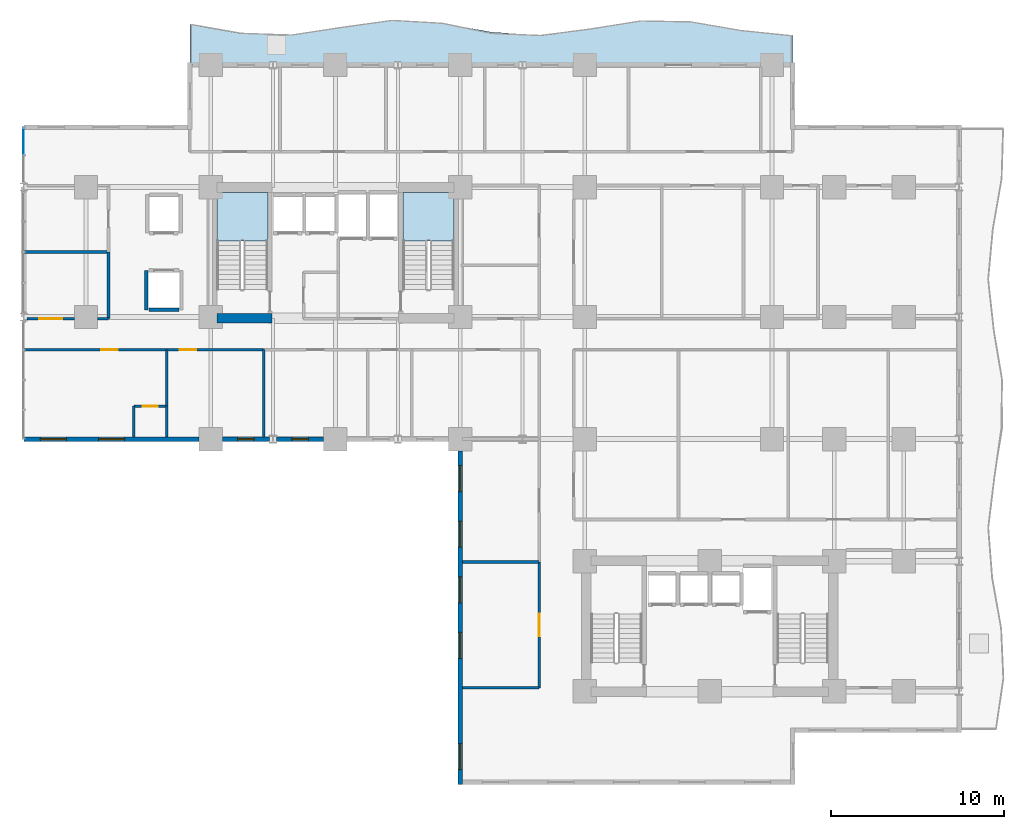
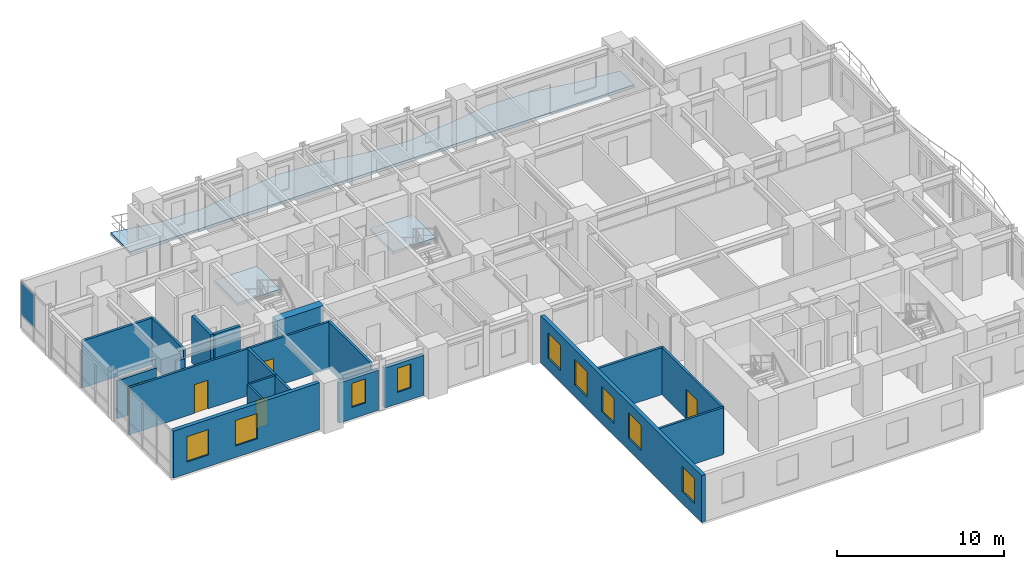
# One storey, part 8 of 17: 21 walls, 9 windows, 5 doors, 3 slabs, 1 plate, 14 openings, 3 elements without a shape of their own.
"""IFC4 building model written with IfcOpenShell, lengths in metres."""

from ifc_helpers import new_model, si_unit, direction, frame, frame_2d, origin, origin_2d, place, context, subcontext, project, spatial, polyline, rectangle, outline, extrude, source, transform, mapped, material, layer, layer_set, type_object, element, fill, aggregate, save


model = new_model("IFC4")

# Units and contexts
model_context = context("Model", 3, precision=1e-05, world=origin(), true_north=direction((0.0, 1.0)))
body_context = subcontext(model_context, "Body", "Model", "MODEL_VIEW")
ifc_project = project(units=[si_unit("LENGTHUNIT", "METRE"), si_unit("AREAUNIT", "SQUARE_METRE"), si_unit("VOLUMEUNIT", "CUBIC_METRE"), si_unit("PLANEANGLEUNIT", "RADIAN"), si_unit("MASSUNIT", "GRAM", prefix="KILO")], contexts=[model_context])

# Site, building, storey
site_placement = place(None, origin())
site = spatial("IfcSite", under=ifc_project, at=site_placement, CompositionType="ELEMENT")
building_placement = place(site_placement, origin())
building = spatial("IfcBuilding", under=site, at=building_placement, Name="Kaliganga Portal Commons", CompositionType="ELEMENT")
storey_placement = place(building_placement, frame((0.0, 0.0, 62.300048828125)))
storey = spatial("IfcBuildingStorey", under=building, at=storey_placement, Name="L15", CompositionType="ELEMENT", Elevation=62.300048828125)

# Slab
ifc_material_1 = material(Name="Concrete C40/50", Category="concrete")
ifc_layer_1 = layer(ifc_material_1, 0.2099609375)
ifc_layer_set_1 = layer_set([ifc_layer_1], Name="Concrete C40/50")
slab_type_1 = type_object("IfcSlabType", Name="SLB-BALC-210", PredefinedType="FLOOR", material=ifc_layer_set_1)
slab_1_placement = place(storey_placement, frame((0.0, 0.0, -0.2099609375)))
element("IfcSlab", 1, at=slab_1_placement, inside=storey, type_object=slab_type_1, Name="Scalloped Tree-Planter Balcony Slab L15 balc_north", PredefinedType="FLOOR", context=body_context, shape_type="SweptSolid", body=[
    extrude(outline(polyline([(48.0, 43.199951171875), (48.0, 44.886474609375), (45.10009765625, 45.18408203125), (42.199951171875, 45.68896484375), (39.300048828125, 45.743408203125), (36.39990234375, 45.276611328125), (33.5, 44.896484375), (30.60009765625, 45.098388671875), (27.699951171875, 45.619384765625), (24.800048828125, 45.780517578125), (21.89990234375, 45.371826171875), (19.0, 44.926025390625), (16.10009765625, 45.023681640625), (13.199951171875, 45.53759765625), (13.199951171875, 43.199951171875), (48.0, 43.199951171875)])), origin(), (0.0, 0.0, 1.0), 0.2099609375),
])

# Stair, slab
stair_type = type_object("IfcStairType", Name="ST-CORE-DOGLEG", PredefinedType="HALF_TURN_STAIR", material=ifc_material_1)
stair_1_placement = place(storey_placement, origin())
stair_1 = element("IfcStair", 2, at=stair_1_placement, inside=storey, type_object=stair_type, Name="L15 Protected Exit Stair ST-A1", PredefinedType="HALF_TURN_STAIR")
ifc_layer_2 = layer(ifc_material_1, 0.199951171875)
ifc_layer_set_2 = layer_set([ifc_layer_2], Name="Concrete C40/50")
slab_type_2 = type_object("IfcSlabType", Name="SLB-STAIR-LND", PredefinedType="LANDING", material=ifc_layer_set_2)
slab_2_placement = place(storey_placement, frame((0.0, 0.0, 1.64990234375)))
slab_2 = element("IfcSlab", 3, at=slab_2_placement, type_object=slab_type_2, Name="ST-A1 landing 1", PredefinedType="LANDING", context=body_context, shape_type="SweptSolid", body=[
    extrude(outline(polyline([(17.699951171875, 33.050048828125), (17.699951171875, 35.85009765625), (14.75, 35.85009765625), (14.75, 33.050048828125), (17.699951171875, 33.050048828125)])), origin(), (0.0, 0.0, 1.0), 0.199951171875),
])
aggregate(stair_1, [slab_2])

stair_2_placement = place(storey_placement, origin())
stair_2 = element("IfcStair", 4, at=stair_2_placement, inside=storey, type_object=stair_type, Name="L15 Protected Exit Stair ST-A2", PredefinedType="HALF_TURN_STAIR")
slab_3_placement = place(storey_placement, frame((0.0, 0.0, 1.64990234375)))
slab_3 = element("IfcSlab", 5, at=slab_3_placement, type_object=slab_type_2, Name="ST-A2 landing 1", PredefinedType="LANDING", context=body_context, shape_type="SweptSolid", body=[
    extrude(outline(polyline([(28.449951171875, 33.050048828125), (28.449951171875, 35.85009765625), (25.5, 35.85009765625), (25.5, 33.050048828125), (28.449951171875, 33.050048828125)])), origin(), (0.0, 0.0, 1.0), 0.199951171875),
])
aggregate(stair_2, [slab_3])

# Curtain wall, plate
ifc_material_2 = material(Name="Anodized Aluminium and Laminated Low-E Glass", Category="aluminium")
ifc_layer_3 = layer(ifc_material_2, 0.199951171875)
ifc_layer_set_3 = layer_set([ifc_layer_3], Name="Anodized Aluminium and Laminated Low-E Glass")
curtain_wall_type = type_object("IfcCurtainWallType", Name="CW-SYS-02", PredefinedType="NOTDEFINED", material=ifc_layer_set_3)
curtain_wall_placement = place(storey_placement, origin())
curtain_wall = element("IfcCurtainWall", 6, at=curtain_wall_placement, inside=storey, type_object=curtain_wall_type, Name="CW 02 L15 P1E09S1", PredefinedType="NOTDEFINED")
ifc_material_3 = material(Name="Dark Solar-Control Laminated Low-E IGU", Category="glass")
ifc_layer_4 = layer(ifc_material_3, 0.028076171875)
ifc_layer_set_4 = layer_set([ifc_layer_4], Name="Dark Solar-Control Laminated Low-E IGU")
plate_type = type_object("IfcPlateType", Name="PLT-GLZ-28", PredefinedType="CURTAIN_PANEL", material=ifc_layer_set_4)
shared_shape = source(origin(), body_context, "Body", "SweptSolid", [
    extrude(rectangle(XDim=1.572998046875, YDim=0.028076171875, at=origin_2d()), origin(), (0.0, 0.0, 1.0), 2.39990234375),
])
plate_placement = place(storey_placement, frame((3.60009765625, 38.79345703125, 0.9599609375), z_axis=(0.0, 0.0, 1.0), x_axis=(0.0, -1.0, 0.0)))
plate = element("IfcPlate", 7, at=plate_placement, type_object=plate_type, Name="CW:02:L15:P1E09S1 Vision IGU 00", PredefinedType="CURTAIN_PANEL", context=body_context, shape_type="MappedRepresentation", body=[
    mapped(shared_shape, transform((0.0, 0.0, 0.0), x_axis=(1.0, 0.0, 0.0), y_axis=(0.0, 1.0, 0.0), z_axis=(0.0, 0.0, 1.0), scale=1.0)),
])
aggregate(curtain_wall, [plate])

# Wall
ifc_material_4 = material(Name="Concrete C60/75", Category="concrete")
ifc_layer_5 = layer(ifc_material_4, 0.550048828125)
ifc_layer_set_5 = layer_set([ifc_layer_5], Name="Concrete C60/75")
wall_type_1 = type_object("IfcWallType", Name="WL-CORE-550", PredefinedType="SHEAR", material=ifc_layer_set_5)
wall_1_placement = place(storey_placement, frame((14.75, 28.574951171875, 0.0), z_axis=(0.0, 0.0, 1.0), x_axis=(1.0, 0.0, 0.0)))
element("IfcWall", 8, at=wall_1_placement, inside=storey, type_object=wall_type_1, Name="Core A S-West Shear Wall L15", PredefinedType="SHEAR", context=body_context, shape_type="SweptSolid", body=[
    extrude(rectangle(XDim=3.199951171875, YDim=0.550048828125, at=frame_2d((1.60009765625, 0.0))), origin(), (0.0, 0.0, 1.0), 3.449951171875),
])

# Wall, openings, windows
ifc_material_5 = material(Name="Insulated Aluminium-Clad Spandrel Assembly", Category="aluminium")
ifc_layer_6 = layer(ifc_material_5, 0.260009765625)
ifc_layer_set_6 = layer_set([ifc_layer_6], Name="Insulated Aluminium-Clad Spandrel Assembly")
wall_type_2 = type_object("IfcWallType", Name="WL-EXT-SPAND-260", PredefinedType="STANDARD", material=ifc_layer_set_6)
wall_2_placement = place(storey_placement, frame((13.72412109375, 21.60009765625, 0.0), z_axis=(0.0, 0.0, 1.0), x_axis=(-1.0, 0.0, 0.0)))
wall_2 = element("IfcWall", 9, at=wall_2_placement, inside=storey, type_object=wall_type_2, Name="Exterior Envelope Wall L15 P1-E10-S1", PredefinedType="STANDARD", context=body_context, shape_type="SweptSolid", body=[
    extrude(rectangle(XDim=10.087158203125, YDim=0.260009765625, at=frame_2d((5.04345703125, 0.0))), origin(), (0.0, 0.0, 1.0), 3.429931640625),
])
opening_1_placement = place(wall_2_placement, frame((4.29345703125, 0.0, 0.85009765625)))
opening_1 = element("IfcOpeningElement", 10, at=opening_1_placement, cuts=wall_2, Name="Opening W-02", PredefinedType="OPENING", context=body_context, shape_type="SweptSolid", body=[
    extrude(rectangle(XDim=1.5, YDim=1.85009765625, at=frame_2d((0.75, 0.925048828125))), frame((0.0, 0.14013671875, 0.0), z_axis=(0.0, -1.0, 0.0), x_axis=(1.0, 0.0, 0.0)), (0.0, 0.0, 1.0), 0.280029296875),
])
opening_2_placement = place(wall_2_placement, frame((7.65576171875, 0.0, 0.85009765625)))
opening_2 = element("IfcOpeningElement", 11, at=opening_2_placement, cuts=wall_2, Name="Opening W-02", PredefinedType="OPENING", context=body_context, shape_type="SweptSolid", body=[
    extrude(rectangle(XDim=1.5, YDim=1.85009765625, at=frame_2d((0.75, 0.925048828125))), frame((0.0, 0.14013671875, 0.0), z_axis=(0.0, -1.0, 0.0), x_axis=(1.0, 0.0, 0.0)), (0.0, 0.0, 1.0), 0.280029296875),
])
ifc_material_6 = material(Name="Thermally Broken Aluminium and Low-E Double Glazing", Category="aluminium")
window_type_1 = type_object("IfcWindowType", Name="WIN-STD-1500", PartitioningType="DOUBLE_PANEL_VERTICAL", PredefinedType="WINDOW", material=ifc_material_6)
window_1_placement = place(opening_1_placement, origin())
window_1 = element("IfcWindow", 12, at=window_1_placement, inside=storey, type_object=window_type_1, Name="Facade Window L15-P1E10S1-01", OverallHeight=1.85009765625, OverallWidth=1.5, PartitioningType="SINGLE_PANEL", PredefinedType="WINDOW", context=body_context, shape_type="SweptSolid", body=[
    extrude(rectangle(XDim=1.5, YDim=1.85009765625, at=frame_2d((0.75, 0.925048828125))), frame((0.0, 0.030029296875, 0.0), z_axis=(0.0, -1.0, 0.0), x_axis=(1.0, 0.0, 0.0)), (0.0, 0.0, 1.0), 0.06005859375),
])
fill(opening_1, window_1)
window_2_placement = place(opening_2_placement, origin())
window_2 = element("IfcWindow", 13, at=window_2_placement, inside=storey, type_object=window_type_1, Name="Facade Window L15-P1E10S1-02", OverallHeight=1.85009765625, OverallWidth=1.5, PartitioningType="SINGLE_PANEL", PredefinedType="WINDOW", context=body_context, shape_type="SweptSolid", body=[
    extrude(rectangle(XDim=1.5, YDim=1.85009765625, at=frame_2d((0.75, 0.925048828125))), frame((0.0, 0.030029296875, 0.0), z_axis=(0.0, -1.0, 0.0), x_axis=(1.0, 0.0, 0.0)), (0.0, 0.0, 1.0), 0.06005859375),
])
fill(opening_2, window_2)

# Wall, opening, window
wall_3_placement = place(storey_placement, frame((17.791015625, 21.60009765625, 0.0), z_axis=(0.0, 0.0, 1.0), x_axis=(-1.0, 0.0, 0.0)))
wall_3 = element("IfcWall", 14, at=wall_3_placement, inside=storey, type_object=wall_type_2, Name="Exterior Envelope Wall L15 P1-E10-S2", PredefinedType="STANDARD", context=body_context, shape_type="SweptSolid", body=[
    extrude(rectangle(XDim=2.715087890625, YDim=0.260009765625, at=frame_2d((1.357421875, 0.0))), origin(), (0.0, 0.0, 1.0), 2.929931640625),
])
opening_3_placement = place(wall_3_placement, frame((0.882568359375, 0.0, 0.85009765625)))
opening_3 = element("IfcOpeningElement", 15, at=opening_3_placement, cuts=wall_3, Name="Opening W-04", PredefinedType="OPENING", context=body_context, shape_type="SweptSolid", body=[
    extrude(rectangle(XDim=0.949951171875, YDim=1.75, at=frame_2d((0.47509765625, 0.875))), frame((0.0, 0.14013671875, 0.0), z_axis=(0.0, -1.0, 0.0), x_axis=(1.0, 0.0, 0.0)), (0.0, 0.0, 1.0), 0.280029296875),
])
window_type_2 = type_object("IfcWindowType", Name="WIN-NARROW-950", PartitioningType="SINGLE_PANEL", PredefinedType="WINDOW", material=ifc_material_6)
window_3_placement = place(opening_3_placement, origin())
window_3 = element("IfcWindow", 16, at=window_3_placement, inside=storey, type_object=window_type_2, Name="Facade Window L15-P1E10S2-00", OverallHeight=1.75, OverallWidth=0.949951171875, PartitioningType="SINGLE_PANEL", PredefinedType="WINDOW", context=body_context, shape_type="SweptSolid", body=[
    extrude(rectangle(XDim=0.949951171875, YDim=1.75, at=frame_2d((0.47509765625, 0.875))), frame((0.0, 0.030029296875, 0.0), z_axis=(0.0, -1.0, 0.0), x_axis=(1.0, 0.0, 0.0)), (0.0, 0.0, 1.0), 0.06005859375),
])
fill(opening_3, window_3)

wall_4_placement = place(storey_placement, frame((20.924072265625, 21.60009765625, 0.0), z_axis=(0.0, 0.0, 1.0), x_axis=(-1.0, 0.0, 0.0)))
wall_4 = element("IfcWall", 17, at=wall_4_placement, inside=storey, type_object=wall_type_2, Name="Exterior Envelope Wall L15 P1-E10-S3", PredefinedType="STANDARD", context=body_context, shape_type="SweptSolid", body=[
    extrude(rectangle(XDim=2.715087890625, YDim=0.260009765625, at=frame_2d((1.357421875, 0.0))), origin(), (0.0, 0.0, 1.0), 2.929931640625),
])
opening_4_placement = place(wall_4_placement, frame((0.882568359375, 0.0, 0.85009765625)))
opening_4 = element("IfcOpeningElement", 18, at=opening_4_placement, cuts=wall_4, Name="Opening W-04", PredefinedType="OPENING", context=body_context, shape_type="SweptSolid", body=[
    extrude(rectangle(XDim=0.949951171875, YDim=1.75, at=frame_2d((0.47509765625, 0.875))), frame((0.0, 0.14013671875, 0.0), z_axis=(0.0, -1.0, 0.0), x_axis=(1.0, 0.0, 0.0)), (0.0, 0.0, 1.0), 0.280029296875),
])
window_4_placement = place(opening_4_placement, origin())
window_4 = element("IfcWindow", 19, at=window_4_placement, inside=storey, type_object=window_type_2, Name="Facade Window L15-P1E10S3-00", OverallHeight=1.75, OverallWidth=0.949951171875, PartitioningType="SINGLE_PANEL", PredefinedType="WINDOW", context=body_context, shape_type="SweptSolid", body=[
    extrude(rectangle(XDim=0.949951171875, YDim=1.75, at=frame_2d((0.47509765625, 0.875))), frame((0.0, 0.030029296875, 0.0), z_axis=(0.0, -1.0, 0.0), x_axis=(1.0, 0.0, 0.0)), (0.0, 0.0, 1.0), 0.06005859375),
])
fill(opening_4, window_4)

# Wall, openings, windows
wall_5_placement = place(storey_placement, frame((28.800048828125, 1.669921875, 0.0), z_axis=(0.0, 0.0, 1.0), x_axis=(0.0, 1.0, 0.0)))
wall_5 = element("IfcWall", 20, at=wall_5_placement, inside=storey, type_object=wall_type_2, Name="Exterior Envelope Wall L15 P1-E11-S1", PredefinedType="STANDARD", context=body_context, shape_type="SweptSolid", body=[
    extrude(rectangle(XDim=19.254150390625, YDim=0.260009765625, at=frame_2d((9.626953125, 0.0))), origin(), (0.0, 0.0, 1.0), 3.429931640625),
])
opening_5_placement = place(wall_5_placement, frame((0.8544921875, 0.0, 0.85009765625)))
opening_5 = element("IfcOpeningElement", 21, at=opening_5_placement, cuts=wall_5, Name="Opening W-02", PredefinedType="OPENING", context=body_context, shape_type="SweptSolid", body=[
    extrude(rectangle(XDim=1.5, YDim=1.85009765625, at=frame_2d((0.75, 0.925048828125))), frame((0.0, 0.14013671875, 0.0), z_axis=(0.0, -1.0, 0.0), x_axis=(1.0, 0.0, 0.0)), (0.0, 0.0, 1.0), 0.280029296875),
])
opening_6_placement = place(wall_5_placement, frame((7.2724609375, 0.0, 0.85009765625)))
opening_6 = element("IfcOpeningElement", 22, at=opening_6_placement, cuts=wall_5, Name="Opening W-02", PredefinedType="OPENING", context=body_context, shape_type="SweptSolid", body=[
    extrude(rectangle(XDim=1.5, YDim=1.85009765625, at=frame_2d((0.75, 0.925048828125))), frame((0.0, 0.14013671875, 0.0), z_axis=(0.0, -1.0, 0.0), x_axis=(1.0, 0.0, 0.0)), (0.0, 0.0, 1.0), 0.280029296875),
])
opening_7_placement = place(wall_5_placement, frame((10.4814453125, 0.0, 0.85009765625)))
opening_7 = element("IfcOpeningElement", 23, at=opening_7_placement, cuts=wall_5, Name="Opening W-02", PredefinedType="OPENING", context=body_context, shape_type="SweptSolid", body=[
    extrude(rectangle(XDim=1.5, YDim=1.85009765625, at=frame_2d((0.75, 0.925048828125))), frame((0.0, 0.14013671875, 0.0), z_axis=(0.0, -1.0, 0.0), x_axis=(1.0, 0.0, 0.0)), (0.0, 0.0, 1.0), 0.280029296875),
])
opening_8_placement = place(wall_5_placement, frame((13.6904296875, 0.0, 0.85009765625)))
opening_8 = element("IfcOpeningElement", 24, at=opening_8_placement, cuts=wall_5, Name="Opening W-02", PredefinedType="OPENING", context=body_context, shape_type="SweptSolid", body=[
    extrude(rectangle(XDim=1.5, YDim=1.85009765625, at=frame_2d((0.75, 0.925048828125))), frame((0.0, 0.14013671875, 0.0), z_axis=(0.0, -1.0, 0.0), x_axis=(1.0, 0.0, 0.0)), (0.0, 0.0, 1.0), 0.280029296875),
])
opening_9_placement = place(wall_5_placement, frame((16.8994140625, 0.0, 0.85009765625)))
opening_9 = element("IfcOpeningElement", 25, at=opening_9_placement, cuts=wall_5, Name="Opening W-02", PredefinedType="OPENING", context=body_context, shape_type="SweptSolid", body=[
    extrude(rectangle(XDim=1.5, YDim=1.85009765625, at=frame_2d((0.75, 0.925048828125))), frame((0.0, 0.14013671875, 0.0), z_axis=(0.0, -1.0, 0.0), x_axis=(1.0, 0.0, 0.0)), (0.0, 0.0, 1.0), 0.280029296875),
])
window_5_placement = place(opening_5_placement, origin())
window_5 = element("IfcWindow", 26, at=window_5_placement, inside=storey, type_object=window_type_1, Name="Facade Window L15-P1E11S1-00", OverallHeight=1.85009765625, OverallWidth=1.5, PartitioningType="SINGLE_PANEL", PredefinedType="WINDOW", context=body_context, shape_type="SweptSolid", body=[
    extrude(rectangle(XDim=1.5, YDim=1.85009765625, at=frame_2d((0.75, 0.925048828125))), frame((0.0, 0.030029296875, 0.0), z_axis=(0.0, -1.0, 0.0), x_axis=(1.0, 0.0, 0.0)), (0.0, 0.0, 1.0), 0.06005859375),
])
fill(opening_5, window_5)
window_6_placement = place(opening_6_placement, origin())
window_6 = element("IfcWindow", 27, at=window_6_placement, inside=storey, type_object=window_type_1, Name="Facade Window L15-P1E11S1-02", OverallHeight=1.85009765625, OverallWidth=1.5, PartitioningType="SINGLE_PANEL", PredefinedType="WINDOW", context=body_context, shape_type="SweptSolid", body=[
    extrude(rectangle(XDim=1.5, YDim=1.85009765625, at=frame_2d((0.75, 0.925048828125))), frame((0.0, 0.030029296875, 0.0), z_axis=(0.0, -1.0, 0.0), x_axis=(1.0, 0.0, 0.0)), (0.0, 0.0, 1.0), 0.06005859375),
])
fill(opening_6, window_6)
window_7_placement = place(opening_7_placement, origin())
window_7 = element("IfcWindow", 28, at=window_7_placement, inside=storey, type_object=window_type_1, Name="Facade Window L15-P1E11S1-03", OverallHeight=1.85009765625, OverallWidth=1.5, PartitioningType="SINGLE_PANEL", PredefinedType="WINDOW", context=body_context, shape_type="SweptSolid", body=[
    extrude(rectangle(XDim=1.5, YDim=1.85009765625, at=frame_2d((0.75, 0.925048828125))), frame((0.0, 0.030029296875, 0.0), z_axis=(0.0, -1.0, 0.0), x_axis=(1.0, 0.0, 0.0)), (0.0, 0.0, 1.0), 0.06005859375),
])
fill(opening_7, window_7)
window_8_placement = place(opening_8_placement, origin())
window_8 = element("IfcWindow", 29, at=window_8_placement, inside=storey, type_object=window_type_1, Name="Facade Window L15-P1E11S1-04", OverallHeight=1.85009765625, OverallWidth=1.5, PartitioningType="SINGLE_PANEL", PredefinedType="WINDOW", context=body_context, shape_type="SweptSolid", body=[
    extrude(rectangle(XDim=1.5, YDim=1.85009765625, at=frame_2d((0.75, 0.925048828125))), frame((0.0, 0.030029296875, 0.0), z_axis=(0.0, -1.0, 0.0), x_axis=(1.0, 0.0, 0.0)), (0.0, 0.0, 1.0), 0.06005859375),
])
fill(opening_8, window_8)
window_9_placement = place(opening_9_placement, origin())
window_9 = element("IfcWindow", 30, at=window_9_placement, inside=storey, type_object=window_type_1, Name="Facade Window L15-P1E11S1-05", OverallHeight=1.85009765625, OverallWidth=1.5, PartitioningType="SINGLE_PANEL", PredefinedType="WINDOW", context=body_context, shape_type="SweptSolid", body=[
    extrude(rectangle(XDim=1.5, YDim=1.85009765625, at=frame_2d((0.75, 0.925048828125))), frame((0.0, 0.030029296875, 0.0), z_axis=(0.0, -1.0, 0.0), x_axis=(1.0, 0.0, 0.0)), (0.0, 0.0, 1.0), 0.06005859375),
])
fill(opening_9, window_9)

# Wall, opening, door
ifc_material_7 = material(Name="Fire-Rated Gypsum Board on Steel Stud", Category="steel")
ifc_layer_7 = layer(ifc_material_7, 0.14990234375)
ifc_layer_set_7 = layer_set([ifc_layer_7], Name="Fire-Rated Gypsum Board on Steel Stud")
wall_type_3 = type_object("IfcWallType", Name="WL-PART-CORR-150", PredefinedType="PARTITIONING", material=ifc_layer_set_7)
wall_6_placement = place(storey_placement, frame((3.6201171875, 26.760009765625, 0.0), z_axis=(0.0, 0.0, 1.0), x_axis=(1.0, 0.0, 0.0)))
wall_6 = element("IfcWall", 31, at=wall_6_placement, inside=storey, type_object=wall_type_3, Name="Interior Partition L15-007", PredefinedType="PARTITIONING", context=body_context, shape_type="SweptSolid", body=[
    extrude(rectangle(XDim=8.239990234375, YDim=0.14990234375, at=frame_2d((4.1201171875, 0.0))), origin(), (0.0, 0.0, 1.0), 3.429931640625),
])
opening_10_placement = place(wall_6_placement, frame((4.468994140625, 0.0, 0.0)))
opening_10 = element("IfcOpeningElement", 32, at=opening_10_placement, cuts=wall_6, Name="Opening UD-01", PredefinedType="OPENING", context=body_context, shape_type="SweptSolid", body=[
    extrude(rectangle(XDim=0.949951171875, YDim=2.10009765625, at=frame_2d((0.47509765625, 1.050048828125))), frame((0.0, 0.0849609375, 0.0), z_axis=(0.0, -1.0, 0.0), x_axis=(1.0, 0.0, 0.0)), (0.0, 0.0, 1.0), 0.169921875),
])
ifc_material_8 = material(Name="Solid-Core Timber Acoustic Fire Door", Category="wood")
door_type_1 = type_object("IfcDoorType", Name="DR-UNIT-950", OperationType="NOTDEFINED", PredefinedType="DOOR", material=ifc_material_8)
door_1_placement = place(opening_10_placement, origin())
door_1 = element("IfcDoor", 33, at=door_1_placement, inside=storey, type_object=door_type_1, Name="Interior Door L15-AS01", OperationType="SINGLE_SWING_LEFT", OverallHeight=2.10009765625, OverallWidth=0.949951171875, PredefinedType="DOOR", context=body_context, shape_type="SweptSolid", body=[
    extrude(rectangle(XDim=0.949951171875, YDim=2.10009765625, at=frame_2d((0.47509765625, 1.050048828125))), frame((0.0, 0.02490234375, 0.0), z_axis=(0.0, -1.0, 0.0), x_axis=(1.0, 0.0, 0.0)), (0.0, 0.0, 1.0), 0.050048828125),
])
fill(opening_10, door_1)

wall_7_placement = place(storey_placement, frame((33.360107421875, 7.239990234375, 0.0), z_axis=(0.0, 0.0, 1.0), x_axis=(0.0, 1.0, 0.0)))
wall_7 = element("IfcWall", 34, at=wall_7_placement, inside=storey, type_object=wall_type_3, Name="Interior Partition L15-013", PredefinedType="PARTITIONING", context=body_context, shape_type="SweptSolid", body=[
    extrude(rectangle(XDim=7.260009765625, YDim=0.14990234375, at=frame_2d((3.6298828125, 0.0))), origin(), (0.0, 0.0, 1.0), 3.429931640625),
])
opening_11_placement = place(wall_7_placement, frame((2.97998046875, 0.0, 0.0)))
opening_11 = element("IfcOpeningElement", 35, at=opening_11_placement, cuts=wall_7, Name="Opening RD-03", PredefinedType="OPENING", context=body_context, shape_type="SweptSolid", body=[
    extrude(rectangle(XDim=1.300048828125, YDim=2.1201171875, at=frame_2d((0.64990234375, 1.06005859375))), frame((0.0, 0.0849609375, 0.0), z_axis=(0.0, -1.0, 0.0), x_axis=(1.0, 0.0, 0.0)), (0.0, 0.0, 1.0), 0.169921875),
])
ifc_material_9 = material(Name="Glazed Timber Seminar Vision Door", Category="wood")
door_type_2 = type_object("IfcDoorType", Name="DR-STUDY-1300", OperationType="DOUBLE_DOOR_SINGLE_SWING", PredefinedType="DOOR", material=ifc_material_9)
door_2_placement = place(opening_11_placement, origin())
door_2 = element("IfcDoor", 36, at=door_2_placement, inside=storey, type_object=door_type_2, Name="Interior Door L15-KW01", OperationType="DOUBLE_DOOR_SINGLE_SWING", OverallHeight=2.1201171875, OverallWidth=1.300048828125, PredefinedType="DOOR", context=body_context, shape_type="SweptSolid", body=[
    extrude(rectangle(XDim=1.300048828125, YDim=2.1201171875, at=frame_2d((0.64990234375, 1.06005859375))), frame((0.0, 0.02490234375, 0.0), z_axis=(0.0, -1.0, 0.0), x_axis=(1.0, 0.0, 0.0)), (0.0, 0.0, 1.0), 0.050048828125),
])
fill(opening_11, door_2)

wall_8_placement = place(storey_placement, frame((11.860107421875, 26.760009765625, 0.0), z_axis=(0.0, 0.0, 1.0), x_axis=(1.0, 0.0, 0.0)))
wall_8 = element("IfcWall", 37, at=wall_8_placement, inside=storey, type_object=wall_type_3, Name="Interior Partition L15-025", PredefinedType="PARTITIONING", context=body_context, shape_type="SweptSolid", body=[
    extrude(rectangle(XDim=5.599853515625, YDim=0.14990234375, at=frame_2d((2.7998046875, 0.0))), origin(), (0.0, 0.0, 1.0), 3.429931640625),
])
opening_12_placement = place(wall_8_placement, frame((0.757080078125, 0.0, 0.0)))
opening_12 = element("IfcOpeningElement", 38, at=opening_12_placement, cuts=wall_8, Name="Opening UD-01", PredefinedType="OPENING", context=body_context, shape_type="SweptSolid", body=[
    extrude(rectangle(XDim=0.949951171875, YDim=2.10009765625, at=frame_2d((0.47509765625, 1.050048828125))), frame((0.0, 0.0849609375, 0.0), z_axis=(0.0, -1.0, 0.0), x_axis=(1.0, 0.0, 0.0)), (0.0, 0.0, 1.0), 0.169921875),
])
door_3_placement = place(opening_12_placement, origin())
door_3 = element("IfcDoor", 39, at=door_3_placement, inside=storey, type_object=door_type_1, Name="Interior Door L15-AS02", OperationType="SINGLE_SWING_RIGHT", OverallHeight=2.10009765625, OverallWidth=0.949951171875, PredefinedType="DOOR", context=body_context, shape_type="SweptSolid", body=[
    extrude(rectangle(XDim=0.949951171875, YDim=2.10009765625, at=frame_2d((0.47509765625, 1.050048828125))), frame((0.0, 0.02490234375, 0.0), z_axis=(0.0, -1.0, 0.0), x_axis=(1.0, 0.0, 0.0)), (0.0, 0.0, 1.0), 0.050048828125),
])
fill(opening_12, door_3)

wall_9_placement = place(storey_placement, frame((3.80810546875, 28.56005859375, 0.0), z_axis=(0.0, 0.0, 1.0), x_axis=(1.0, 0.0, 0.0)))
wall_9 = element("IfcWall", 40, at=wall_9_placement, inside=storey, type_object=wall_type_3, Name="Interior Partition L15-029", PredefinedType="PARTITIONING", context=body_context, shape_type="SweptSolid", body=[
    extrude(rectangle(XDim=2.716796875, YDim=0.14990234375, at=frame_2d((1.3583984375, 0.0))), origin(), (0.0, 0.0, 1.0), 2.780029296875),
])
opening_13_placement = place(wall_9_placement, frame((0.70849609375, 0.0, 0.0)))
opening_13 = element("IfcOpeningElement", 41, at=opening_13_placement, cuts=wall_9, Name="Opening RD-03", PredefinedType="OPENING", context=body_context, shape_type="SweptSolid", body=[
    extrude(rectangle(XDim=1.300048828125, YDim=2.1201171875, at=frame_2d((0.64990234375, 1.06005859375))), frame((0.0, 0.0849609375, 0.0), z_axis=(0.0, -1.0, 0.0), x_axis=(1.0, 0.0, 0.0)), (0.0, 0.0, 1.0), 0.169921875),
])
door_4_placement = place(opening_13_placement, origin())
door_4 = element("IfcDoor", 42, at=door_4_placement, inside=storey, type_object=door_type_2, Name="Interior Door L15-AW01", OperationType="DOUBLE_DOOR_SINGLE_SWING", OverallHeight=2.1201171875, OverallWidth=1.300048828125, PredefinedType="DOOR", context=body_context, shape_type="SweptSolid", body=[
    extrude(rectangle(XDim=1.300048828125, YDim=2.1201171875, at=frame_2d((0.64990234375, 1.06005859375))), frame((0.0, 0.02490234375, 0.0), z_axis=(0.0, -1.0, 0.0), x_axis=(1.0, 0.0, 0.0)), (0.0, 0.0, 1.0), 0.050048828125),
])
fill(opening_13, door_4)

# Walls
wall_10_placement = place(storey_placement, frame((7.875, 28.56005859375, 0.0), z_axis=(0.0, 0.0, 1.0), x_axis=(1.0, 0.0, 0.0)))
element("IfcWall", 43, at=wall_10_placement, inside=storey, type_object=wall_type_3, Name="Interior Partition L15-030", PredefinedType="PARTITIONING", context=body_context, shape_type="SweptSolid", body=[
    extrude(rectangle(XDim=0.625, YDim=0.14990234375, at=frame_2d((0.3125, 0.0))), origin(), (0.0, 0.0, 1.0), 2.780029296875),
])
wall_11_placement = place(storey_placement, frame((28.931884765625, 7.239990234375, 0.0), z_axis=(0.0, 0.0, 1.0), x_axis=(1.0, 0.0, 0.0)))
element("IfcWall", 44, at=wall_11_placement, inside=storey, type_object=wall_type_3, Name="Interior Partition L15-033", PredefinedType="PARTITIONING", context=body_context, shape_type="SweptSolid", body=[
    extrude(rectangle(XDim=4.42822265625, YDim=0.14990234375, at=frame_2d((2.214111328125, 0.0))), origin(), (0.0, 0.0, 1.0), 3.429931640625),
])
wall_12_placement = place(storey_placement, frame((8.5, 28.56005859375, 0.0), z_axis=(0.0, 0.0, 1.0), x_axis=(0.0, 1.0, 0.0)))
element("IfcWall", 45, at=wall_12_placement, inside=storey, type_object=wall_type_3, Name="Interior Partition L15-040", PredefinedType="PARTITIONING", context=body_context, shape_type="SweptSolid", body=[
    extrude(rectangle(XDim=3.83984375, YDim=0.14990234375, at=frame_2d((1.919921875, 0.0))), origin(), (0.0, 0.0, 1.0), 3.429931640625),
])
ifc_material_10 = material(Name="Twin-Stud Acoustic Gypsum Partition", Category="gypsum")
ifc_layer_8 = layer(ifc_material_10, 0.1650390625)
ifc_layer_set_8 = layer_set([ifc_layer_8], Name="Twin-Stud Acoustic Gypsum Partition")
wall_type_4 = type_object("IfcWallType", Name="WL-PART-UNIT-165", PredefinedType="PARTITIONING", material=ifc_layer_set_8)
wall_13_placement = place(storey_placement, frame((17.4599609375, 21.73193359375, 0.0), z_axis=(0.0, 0.0, 1.0), x_axis=(0.0, 1.0, 0.0)))
element("IfcWall", 46, at=wall_13_placement, inside=storey, type_object=wall_type_4, Name="Interior Partition L15-059", PredefinedType="PARTITIONING", context=body_context, shape_type="SweptSolid", body=[
    extrude(rectangle(XDim=5.028076171875, YDim=0.1650390625, at=frame_2d((2.51416015625, 0.0))), origin(), (0.0, 0.0, 1.0), 3.429931640625),
])
wall_14_placement = place(storey_placement, frame((3.6201171875, 32.39990234375, 0.0), z_axis=(0.0, 0.0, 1.0), x_axis=(1.0, 0.0, 0.0)))
element("IfcWall", 47, at=wall_14_placement, inside=storey, type_object=wall_type_4, Name="Interior Partition L15-070", PredefinedType="PARTITIONING", context=body_context, shape_type="SweptSolid", body=[
    extrude(rectangle(XDim=4.8798828125, YDim=0.1650390625, at=frame_2d((2.43994140625, 0.0))), origin(), (0.0, 0.0, 1.0), 3.429931640625),
])
wall_15_placement = place(storey_placement, frame((28.931884765625, 14.5, 0.0), z_axis=(0.0, 0.0, 1.0), x_axis=(1.0, 0.0, 0.0)))
element("IfcWall", 48, at=wall_15_placement, inside=storey, type_object=wall_type_4, Name="Interior Partition L15-074", PredefinedType="PARTITIONING", context=body_context, shape_type="SweptSolid", body=[
    extrude(rectangle(XDim=4.42822265625, YDim=0.1650390625, at=frame_2d((2.214111328125, 0.0))), origin(), (0.0, 0.0, 1.0), 3.429931640625),
])
wall_16_placement = place(storey_placement, frame((11.860107421875, 23.5, 0.0), z_axis=(0.0, 0.0, 1.0), x_axis=(0.0, 1.0, 0.0)))
element("IfcWall", 49, at=wall_16_placement, inside=storey, type_object=wall_type_4, Name="Interior Partition L15-081", PredefinedType="PARTITIONING", context=body_context, shape_type="SweptSolid", body=[
    extrude(rectangle(XDim=3.260009765625, YDim=0.1650390625, at=frame_2d((1.6298828125, 0.0))), origin(), (0.0, 0.0, 1.0), 3.429931640625),
])

# Wall, opening, door
ifc_material_11 = material(Name="Cement-Board Wet-Room Partition", Category="gypsum")
ifc_layer_9 = layer(ifc_material_11, 0.135009765625)
ifc_layer_set_9 = layer_set([ifc_layer_9], Name="Cement-Board Wet-Room Partition")
wall_type_5 = type_object("IfcWallType", Name="WL-PART-WET-135", PredefinedType="PARTITIONING", material=ifc_layer_set_9)
wall_17_placement = place(storey_placement, frame((9.9599609375, 23.5, 0.0), z_axis=(0.0, 0.0, 1.0), x_axis=(1.0, 0.0, 0.0)))
wall_17 = element("IfcWall", 50, at=wall_17_placement, inside=storey, type_object=wall_type_5, Name="Interior Partition L15-001", PredefinedType="PARTITIONING", context=body_context, shape_type="SweptSolid", body=[
    extrude(rectangle(XDim=1.900146484375, YDim=0.135009765625, at=frame_2d((0.9501953125, 0.0))), origin(), (0.0, 0.0, 1.0), 3.429931640625),
])
opening_14_placement = place(wall_17_placement, frame((0.52490234375, 0.0, 0.0)))
opening_14 = element("IfcOpeningElement", 51, at=opening_14_placement, cuts=wall_17, Name="Opening WD-01", PredefinedType="OPENING", context=body_context, shape_type="SweptSolid", body=[
    extrude(rectangle(XDim=0.85009765625, YDim=2.0400390625, at=frame_2d((0.425048828125, 1.02001953125))), frame((0.0, 0.07763671875, 0.0), z_axis=(0.0, -1.0, 0.0), x_axis=(1.0, 0.0, 0.0)), (0.0, 0.0, 1.0), 0.155029296875),
])
ifc_material_12 = material(Name="Moisture-Resistant Laminate Timber Door", Category="wood")
door_type_3 = type_object("IfcDoorType", Name="DR-WET-850", OperationType="NOTDEFINED", PredefinedType="DOOR", material=ifc_material_12)
door_5_placement = place(opening_14_placement, origin())
door_5 = element("IfcDoor", 52, at=door_5_placement, inside=storey, type_object=door_type_3, Name="Interior Door L15-AS01E", OperationType="SINGLE_SWING_RIGHT", OverallHeight=2.0400390625, OverallWidth=0.85009765625, PredefinedType="DOOR", context=body_context, shape_type="SweptSolid", body=[
    extrude(rectangle(XDim=0.85009765625, YDim=2.0400390625, at=frame_2d((0.425048828125, 1.02001953125))), frame((0.0, 0.02490234375, 0.0), z_axis=(0.0, -1.0, 0.0), x_axis=(1.0, 0.0, 0.0)), (0.0, 0.0, 1.0), 0.050048828125),
])
fill(opening_14, door_5)

# Walls
for number, where, z_axis, x_axis, name in (
    (53, (9.9599609375, 21.73193359375, 0.0), (0.0, 0.0, 1.0), (0.0, 1.0, 0.0), "Interior Partition L15-002"),
    (54, (11.860107421875, 21.73193359375, 0.0), (0.0, 0.0, 1.0), (0.0, 1.0, 0.0), "Interior Partition L15-003"),
):
    element("IfcWall", number, at=place(storey_placement, frame(where, z_axis=z_axis, x_axis=x_axis)), inside=storey, type_object=wall_type_5, Name=name, PredefinedType="PARTITIONING", context=body_context, shape_type="SweptSolid", body=[
        extrude(rectangle(XDim=1.76806640625, YDim=0.135009765625, at=frame_2d((0.884033203125, 0.0))), origin(), (0.0, 0.0, 1.0), 3.429931640625),
    ])
ifc_material_13 = material(Name="Fire-Rated Shaftwall Masonry Assembly", Category="masonry")
ifc_layer_10 = layer(ifc_material_13, 0.199951171875)
ifc_layer_set_10 = layer_set([ifc_layer_10], Name="Fire-Rated Shaftwall Masonry Assembly")
wall_type_6 = type_object("IfcWallType", Name="WL-SHAFT-200", PredefinedType="PARTITIONING", material=ifc_layer_set_10)
wall_18_placement = place(storey_placement, frame((10.824951171875, 29.06005859375, 0.0), z_axis=(0.0, 0.0, 1.0), x_axis=(1.0, 0.0, 0.0)))
element("IfcWall", 55, at=wall_18_placement, inside=storey, type_object=wall_type_6, Name="Lift SH-1 Hoistway Shaft Wall L15-S", PredefinedType="PARTITIONING", context=body_context, shape_type="SweptSolid", body=[
    extrude(rectangle(XDim=1.75, YDim=0.199951171875, at=frame_2d((0.875, 0.0))), origin(), (0.0, 0.0, 1.0), 3.429931640625),
])
wall_19_placement = place(storey_placement, frame((10.68505859375, 29.06005859375, 0.0), z_axis=(0.0, 0.0, 1.0), x_axis=(0.0, 1.0, 0.0)))
element("IfcWall", 56, at=wall_19_placement, inside=storey, type_object=wall_type_6, Name="Lift SH-1 Hoistway Shaft Wall L15-W", PredefinedType="PARTITIONING", context=body_context, shape_type="SweptSolid", body=[
    extrude(rectangle(XDim=2.280029296875, YDim=0.199951171875, at=frame_2d((1.14013671875, 0.0))), origin(), (0.0, 0.0, 1.0), 3.429931640625),
])

save(model, "model.ifc")
